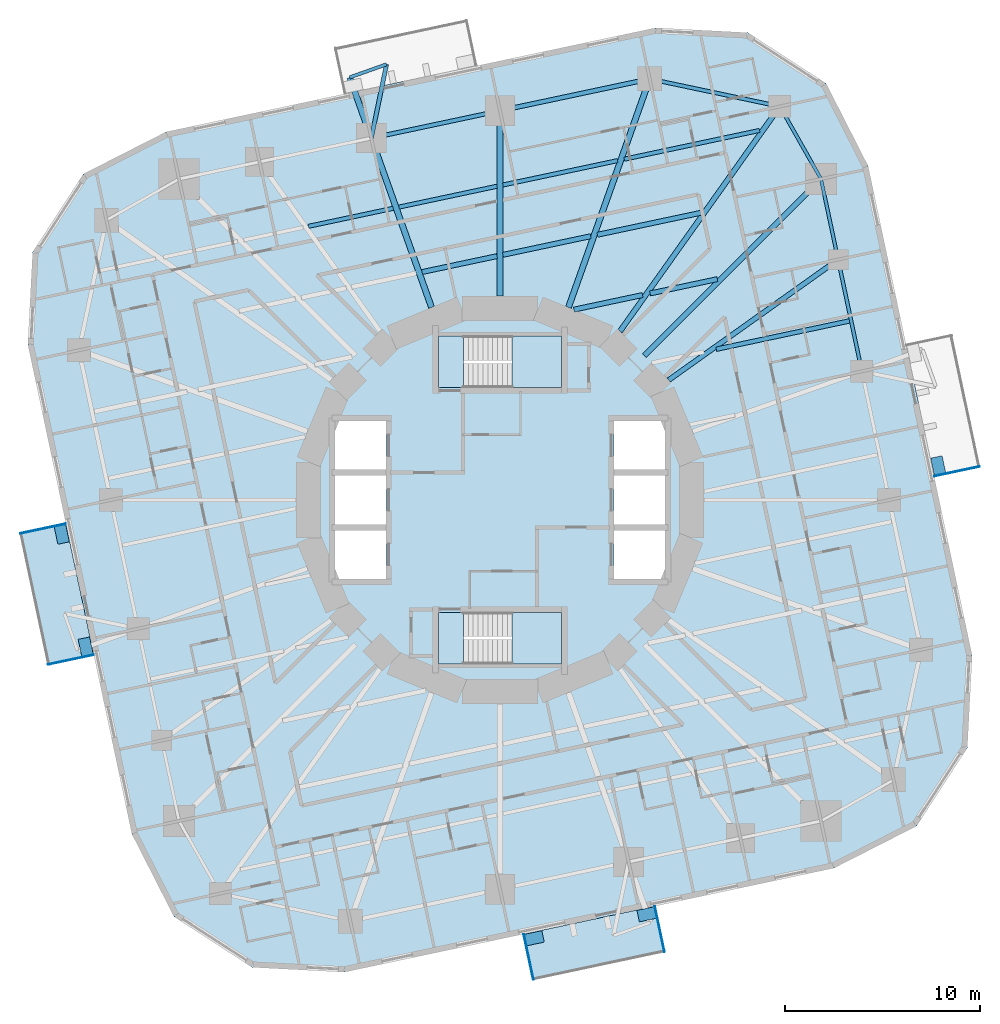
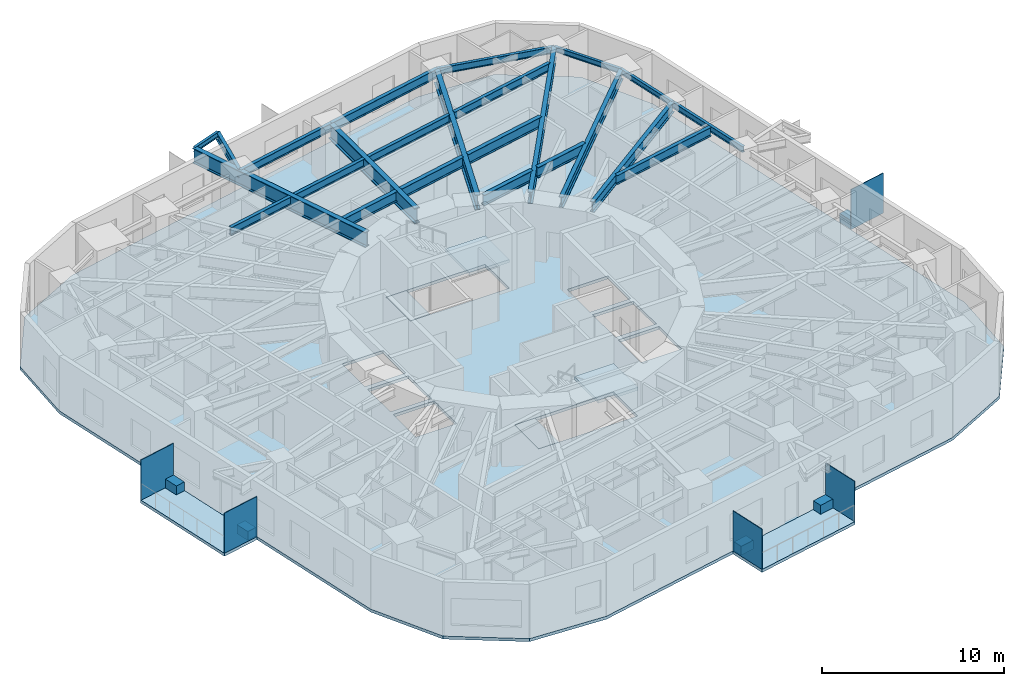
# One storey, part 3 of 14: 24 beams, 10 plates, 7 slabs, 2 elements without a shape of their own.
"""IFC4 building model written with IfcOpenShell, lengths in metres."""

from ifc_helpers import new_model, si_unit, direction, frame, origin, origin_2d, place, context, subcontext, project, spatial, polyline, rectangle, i_section, outline, extrude, material, layer, layer_set, material_profile, profile_set, type_object, element, aggregate, save


model = new_model("IFC4")

# Units and contexts
model_context = context("Model", 3, precision=1e-05, world=origin(), true_north=direction((0.0, 1.0)))
body_context = subcontext(model_context, "Body", "Model", "MODEL_VIEW")
ifc_project = project(units=[si_unit("LENGTHUNIT", "METRE"), si_unit("AREAUNIT", "SQUARE_METRE"), si_unit("VOLUMEUNIT", "CUBIC_METRE"), si_unit("PLANEANGLEUNIT", "RADIAN"), si_unit("MASSUNIT", "GRAM", prefix="KILO")], contexts=[model_context])

# Site, building, storey
site_placement = place(None, origin())
site = spatial("IfcSite", under=ifc_project, at=site_placement, CompositionType="ELEMENT")
building_placement = place(site_placement, origin())
building = spatial("IfcBuilding", under=site, at=building_placement, Name="Nakasero Lantern House", CompositionType="ELEMENT")
storey_placement = place(building_placement, frame((0.0, 0.0, 120.39990234375)))
storey = spatial("IfcBuildingStorey", under=building, at=storey_placement, Name="L29", CompositionType="ELEMENT", Elevation=120.39990234375)

# Beams
ifc_material_1 = material(Name="Steel S355", Category="steel")
ifc_material_profile_1 = material_profile(ifc_material_1, i_section(OverallWidth=0.2138671875, OverallDepth=0.549072265625, WebThickness=0.0146484375, FlangeThickness=0.023681640625, FilletRadius=0.0126953125, at=origin_2d()), Name="UB 533x210x138")
ifc_profile_set_1 = profile_set([ifc_material_profile_1], Name="Steel S355")
beam_type_1 = type_object("IfcBeamType", Name="Balcony splay beam UB 533x210x138", PredefinedType="BEAM", material=ifc_profile_set_1)
beam_1_placement = place(storey_placement, frame((-6.590087890625, 18.534912109375, 3.37548828125), z_axis=(0.201831438605, 0.979420272605, 0.0), x_axis=(-0.979420272605, 0.201831438605, 0.0)))
element("IfcBeam", 1, at=beam_1_placement, inside=storey, type_object=beam_type_1, Name="Balcony splay beam L30 B3-C10A", PredefinedType="BEAM", context=body_context, shape_type="SweptSolid", body=[
    extrude(i_section(OverallWidth=0.2138671875, OverallDepth=0.549072265625, WebThickness=0.0146484375, FlangeThickness=0.023681640625, FilletRadius=0.0126953125, at=origin_2d()), origin(), (0.0, 0.0, 1.0), 3.858642578125),
])
ifc_material_2 = material(Name="Steel S355", Category="steel")
ifc_material_profile_2 = material_profile(ifc_material_2, i_section(OverallWidth=0.17138671875, OverallDepth=0.35498046875, WebThickness=0.00732421875, FlangeThickness=0.011474609375, FilletRadius=0.01025390625, at=origin_2d()), Name="UB 356x171x51")
ifc_profile_set_2 = profile_set([ifc_material_profile_2], Name="Steel S355")
beam_type_2 = type_object("IfcBeamType", Name="Balcony tie beam UB 356x171x51", PredefinedType="BEAM", material=ifc_profile_set_2)
beam_2_placement = place(storey_placement, frame((-5.811279296875, 22.314208984375, 3.47265625), z_axis=(-0.942196708721, -0.335060236487, 0.0), x_axis=(0.335060236487, -0.942196708721, 0.0)))
element("IfcBeam", 2, at=beam_2_placement, inside=storey, type_object=beam_type_2, Name="Balcony tie beam L30 B3-C10", PredefinedType="BEAM", context=body_context, shape_type="SweptSolid", body=[
    extrude(i_section(OverallWidth=0.17138671875, OverallDepth=0.35498046875, WebThickness=0.00732421875, FlangeThickness=0.011474609375, FilletRadius=0.01025390625, at=origin_2d()), origin(), (0.0, 0.0, 1.0), 2.000244140625),
])
ifc_material_3 = material(Name="Steel S355", Category="steel")
ifc_material_profile_3 = material_profile(ifc_material_3, i_section(OverallWidth=0.2099609375, OverallDepth=0.53662109375, WebThickness=0.0107421875, FlangeThickness=0.017333984375, FilletRadius=0.0126953125, at=origin_2d()), Name="UB 533x210x101")
ifc_profile_set_3 = profile_set([ifc_material_profile_3], Name="Steel S355")
beam_type_3 = type_object("IfcBeamType", Name="Infill beam UB 533x210x101", PredefinedType="JOIST", material=ifc_profile_set_3)
beam_3_placement = place(storey_placement, frame((-9.810302734375, 14.0166015625, 3.3818359375), z_axis=(0.978149057111, 0.207904838982, 0.0), x_axis=(-0.207904838982, 0.978149057111, 0.0)))
element("IfcBeam", 3, at=beam_3_placement, inside=storey, type_object=beam_type_3, Name="Infill beam L30 12.4", PredefinedType="JOIST", context=body_context, shape_type="SweptSolid", body=[
    extrude(i_section(OverallWidth=0.2099609375, OverallDepth=0.53662109375, WebThickness=0.0107421875, FlangeThickness=0.017333984375, FilletRadius=0.0126953125, at=origin_2d()), origin(), (0.0, 0.0, 1.0), 4.435302734375),
])
beam_4_placement = place(storey_placement, frame((-5.173828125, 15.002197265625, 3.3818359375), z_axis=(0.978153894908, 0.207882076853, 0.0), x_axis=(-0.207882076853, 0.978153894908, 0.0)))
element("IfcBeam", 4, at=beam_4_placement, inside=storey, type_object=beam_type_3, Name="Infill beam L30 12.5", PredefinedType="JOIST", context=body_context, shape_type="SweptSolid", body=[
    extrude(i_section(OverallWidth=0.2099609375, OverallDepth=0.53662109375, WebThickness=0.0107421875, FlangeThickness=0.017333984375, FilletRadius=0.0126953125, at=origin_2d()), origin(), (0.0, 0.0, 1.0), 5.13330078125),
])
beam_5_placement = place(storey_placement, frame((0.152587890625, 16.13427734375, 3.3818359375), z_axis=(0.978149438519, 0.207903044531, 0.0), x_axis=(-0.207903044531, 0.978149438519, 0.0)))
element("IfcBeam", 5, at=beam_5_placement, inside=storey, type_object=beam_type_3, Name="Infill beam L30 12.6", PredefinedType="JOIST", context=body_context, shape_type="SweptSolid", body=[
    extrude(i_section(OverallWidth=0.2099609375, OverallDepth=0.53662109375, WebThickness=0.0107421875, FlangeThickness=0.017333984375, FilletRadius=0.0126953125, at=origin_2d()), origin(), (0.0, 0.0, 1.0), 5.99951171875),
])
beam_6_placement = place(storey_placement, frame((6.365478515625, 17.454833984375, 3.3818359375), z_axis=(0.978149480204, 0.207902848411, 0.0), x_axis=(-0.207902848411, 0.978149480204, 0.0)))
element("IfcBeam", 6, at=beam_6_placement, inside=storey, type_object=beam_type_3, Name="Infill beam L30 12.7", PredefinedType="JOIST", context=body_context, shape_type="SweptSolid", body=[
    extrude(i_section(OverallWidth=0.2099609375, OverallDepth=0.53662109375, WebThickness=0.0107421875, FlangeThickness=0.017333984375, FilletRadius=0.0126953125, at=origin_2d()), origin(), (0.0, 0.0, 1.0), 7.085693359375),
])
ifc_material_4 = material(Name="Steel S355", Category="steel")
ifc_material_profile_4 = material_profile(ifc_material_4, i_section(OverallWidth=0.2275390625, OverallDepth=0.6025390625, WebThickness=0.010498046875, FlangeThickness=0.014892578125, FilletRadius=0.0126953125, at=origin_2d()), Name="UB 610x229x101")
ifc_profile_set_4 = profile_set([ifc_material_profile_4], Name="Steel S355")
beam_type_4 = type_object("IfcBeamType", Name="Infill beam UB 610x229x101", PredefinedType="JOIST", material=ifc_profile_set_4)
beam_7_placement = place(storey_placement, frame((11.077880859375, 7.721923828125, 3.348876953125), z_axis=(0.978143535939, 0.207930813255, 0.0), x_axis=(-0.207930813255, 0.978143535939, 0.0)))
element("IfcBeam", 7, at=beam_7_placement, inside=storey, type_object=beam_type_4, Name="Infill beam L30 09.3", PredefinedType="JOIST", context=body_context, shape_type="SweptSolid", body=[
    extrude(i_section(OverallWidth=0.2275390625, OverallDepth=0.6025390625, WebThickness=0.010498046875, FlangeThickness=0.014892578125, FilletRadius=0.0126953125, at=origin_2d()), origin(), (0.0, 0.0, 1.0), 6.9697265625),
])
ifc_material_5 = material(Name="Steel S355", Category="steel")
ifc_material_profile_5 = material_profile(ifc_material_5, i_section(OverallWidth=0.253662109375, OverallDepth=0.68359375, WebThickness=0.012451171875, FlangeThickness=0.01904296875, FilletRadius=0.01513671875, at=origin_2d()), Name="UB 686x254x140")
ifc_profile_set_5 = profile_set([ifc_material_profile_5], Name="Steel S355")
beam_type_5 = type_object("IfcBeamType", Name="Infill beam UB 686x254x140", PredefinedType="JOIST", material=ifc_profile_set_5)
beam_8_placement = place(storey_placement, frame((-3.990966796875, 11.67529296875, 3.308349609375), z_axis=(0.978145250615, 0.20792274695, 0.0), x_axis=(-0.20792274695, 0.978145250615, 0.0)))
element("IfcBeam", 8, at=beam_8_placement, inside=storey, type_object=beam_type_5, Name="Infill beam L30 11.4", PredefinedType="JOIST", context=body_context, shape_type="SweptSolid", body=[
    extrude(i_section(OverallWidth=0.253662109375, OverallDepth=0.68359375, WebThickness=0.012451171875, FlangeThickness=0.01904296875, FilletRadius=0.01513671875, at=origin_2d()), origin(), (0.0, 0.0, 1.0), 3.924072265625),
])
beam_9_placement = place(storey_placement, frame((0.152587890625, 12.55615234375, 3.308349609375), z_axis=(0.978148041119, 0.207909618957, 0.0), x_axis=(-0.207909618957, 0.978148041119, 0.0)))
element("IfcBeam", 9, at=beam_9_placement, inside=storey, type_object=beam_type_5, Name="Infill beam L30 11.5", PredefinedType="JOIST", context=body_context, shape_type="SweptSolid", body=[
    extrude(i_section(OverallWidth=0.253662109375, OverallDepth=0.68359375, WebThickness=0.012451171875, FlangeThickness=0.01904296875, FilletRadius=0.01513671875, at=origin_2d()), origin(), (0.0, 0.0, 1.0), 4.592529296875),
])
beam_10_placement = place(storey_placement, frame((4.989013671875, 13.584228515625, 3.308349609375), z_axis=(0.978155764637, 0.207873278962, 0.0), x_axis=(-0.207873278962, 0.978155764637, 0.0)))
element("IfcBeam", 10, at=beam_10_placement, inside=storey, type_object=beam_type_5, Name="Infill beam L30 11.6", PredefinedType="JOIST", context=body_context, shape_type="SweptSolid", body=[
    extrude(i_section(OverallWidth=0.253662109375, OverallDepth=0.68359375, WebThickness=0.012451171875, FlangeThickness=0.01904296875, FilletRadius=0.01513671875, at=origin_2d()), origin(), (0.0, 0.0, 1.0), 5.428466796875),
])
ifc_material_6 = material(Name="Steel S355", Category="steel")
ifc_material_profile_6 = material_profile(ifc_material_6, i_section(OverallWidth=0.255859375, OverallDepth=0.69287109375, WebThickness=0.014404296875, FlangeThickness=0.023681640625, FilletRadius=0.01513671875, at=origin_2d()), Name="UB 686x254x170")
ifc_profile_set_6 = profile_set([ifc_material_profile_6], Name="Steel S355")
beam_type_6 = type_object("IfcBeamType", Name="Infill beam UB 686x254x170", PredefinedType="JOIST", material=ifc_profile_set_6)
beam_11_placement = place(storey_placement, frame((3.78759765625, 9.75048828125, 3.3037109375), z_axis=(0.978149176892, 0.207904275439, 0.0), x_axis=(-0.207904275439, 0.978149176892, 0.0)))
element("IfcBeam", 11, at=beam_11_placement, inside=storey, type_object=beam_type_6, Name="Infill beam L30 10.4", PredefinedType="JOIST", context=body_context, shape_type="SweptSolid", body=[
    extrude(i_section(OverallWidth=0.255859375, OverallDepth=0.69287109375, WebThickness=0.014404296875, FlangeThickness=0.023681640625, FilletRadius=0.01513671875, at=origin_2d()), origin(), (0.0, 0.0, 1.0), 3.59228515625),
])
beam_12_placement = place(storey_placement, frame((7.686767578125, 10.579345703125, 3.3037109375), z_axis=(0.97814493323, 0.20792424004, 0.0), x_axis=(-0.20792424004, 0.97814493323, 0.0)))
element("IfcBeam", 12, at=beam_12_placement, inside=storey, type_object=beam_type_6, Name="Infill beam L30 10.5", PredefinedType="JOIST", context=body_context, shape_type="SweptSolid", body=[
    extrude(i_section(OverallWidth=0.255859375, OverallDepth=0.69287109375, WebThickness=0.014404296875, FlangeThickness=0.023681640625, FilletRadius=0.01513671875, at=origin_2d()), origin(), (0.0, 0.0, 1.0), 3.5224609375),
])
ifc_material_7 = material(Name="Steel S355", Category="steel")
ifc_material_profile_7 = material_profile(ifc_material_7, i_section(OverallWidth=0.300048828125, OverallDepth=0.989990234375, WebThickness=0.0166015625, FlangeThickness=0.031005859375, FilletRadius=0.030029296875, at=origin_2d()), Name="UB 1016x305x272")
ifc_profile_set_7 = profile_set([ifc_material_profile_7], Name="Steel S355")
beam_type_7 = type_object("IfcBeamType", Name="Primary beam UB 1016x305x272, span 12 to 15 m", PredefinedType="BEAM", material=ifc_profile_set_7)
beam_13_placement = place(storey_placement, frame((7.667724609375, 21.5654296875, 3.155029296875), z_axis=(-0.335011995103, -0.942213862739, 0.0), x_axis=(0.942213862739, -0.335011995103, 0.0)))
element("IfcBeam", 13, at=beam_13_placement, inside=storey, type_object=beam_type_7, Name="Primary beam L30 B3-C08", PredefinedType="BEAM", context=body_context, shape_type="SweptSolid", body=[
    extrude(i_section(OverallWidth=0.300048828125, OverallDepth=0.989990234375, WebThickness=0.0166015625, FlangeThickness=0.031005859375, FilletRadius=0.030029296875, at=origin_2d()), origin(), (0.0, 0.0, 1.0), 12.41650390625),
])
ifc_material_8 = material(Name="Steel S355", Category="steel")
ifc_material_profile_8 = material_profile(ifc_material_8, i_section(OverallWidth=0.302001953125, OverallDepth=1.008056640625, WebThickness=0.02099609375, FlangeThickness=0.0400390625, FilletRadius=0.030029296875, at=origin_2d()), Name="UB 1016x305x349")
ifc_profile_set_8 = profile_set([ifc_material_profile_8], Name="Steel S355")
beam_type_8 = type_object("IfcBeamType", Name="Primary beam UB 1016x305x349, span 9 to 12 m", PredefinedType="BEAM", material=ifc_profile_set_8)
beam_14_placement = place(storey_placement, frame((-7.69580078125, 21.64404296875, 3.14599609375), z_axis=(0.335020841845, -0.942210717159, 0.0), x_axis=(0.942210717159, 0.335020841845, 0.0)))
element("IfcBeam", 14, at=beam_14_placement, inside=storey, type_object=beam_type_8, Name="Primary beam L30 B3-C10", PredefinedType="BEAM", context=body_context, shape_type="SweptSolid", body=[
    extrude(i_section(OverallWidth=0.302001953125, OverallDepth=1.008056640625, WebThickness=0.02099609375, FlangeThickness=0.0400390625, FilletRadius=0.030029296875, at=origin_2d()), origin(), (0.0, 0.0, 1.0), 12.5),
])
ifc_material_9 = material(Name="Steel S355", Category="steel")
ifc_material_profile_9 = material_profile(ifc_material_9, i_section(OverallWidth=0.305419921875, OverallDepth=1.026123046875, WebThickness=0.02685546875, FlangeThickness=0.049072265625, FilletRadius=0.030029296875, at=origin_2d()), Name="UB 1016x305x437")
ifc_profile_set_9 = profile_set([ifc_material_profile_9], Name="Steel S355")
beam_type_9 = type_object("IfcBeamType", Name="Primary beam UB 1016x305x437, span 9 to 12 m", PredefinedType="BEAM", material=ifc_profile_set_9)
beam_15_placement = place(storey_placement, frame((0.0, 19.935546875, 3.136962890625), z_axis=(0.0, -1.0, 0.0), x_axis=(1.0, 0.0, 0.0)))
element("IfcBeam", 15, at=beam_15_placement, inside=storey, type_object=beam_type_9, Name="Primary beam L30 B3-C09", PredefinedType="BEAM", context=body_context, shape_type="SweptSolid", body=[
    extrude(i_section(OverallWidth=0.305419921875, OverallDepth=1.026123046875, WebThickness=0.02685546875, FlangeThickness=0.049072265625, FilletRadius=0.030029296875, at=origin_2d()), origin(), (0.0, 0.0, 1.0), 9.477783203125),
])
ifc_material_10 = material(Name="Steel S355", Category="steel")
ifc_material_profile_10 = material_profile(ifc_material_10, i_section(OverallWidth=0.253662109375, OverallDepth=0.68359375, WebThickness=0.012451171875, FlangeThickness=0.01904296875, FilletRadius=0.01513671875, at=origin_2d()), Name="UB 686x254x140")
ifc_profile_set_10 = profile_set([ifc_material_profile_10], Name="Steel S355")
beam_type_10 = type_object("IfcBeamType", Name="Primary beam UB 686x254x140, span 12 to 15 m", PredefinedType="BEAM", material=ifc_profile_set_10)
beam_16_placement = place(storey_placement, frame((16.44091796875, 16.44091796875, 3.308349609375), z_axis=(-0.707106781187, -0.707106781187, 0.0), x_axis=(0.707106781187, -0.707106781187, 0.0)))
element("IfcBeam", 16, at=beam_16_placement, inside=storey, type_object=beam_type_10, Name="Primary beam L30 B3-C06", PredefinedType="BEAM", context=body_context, shape_type="SweptSolid", body=[
    extrude(i_section(OverallWidth=0.253662109375, OverallDepth=0.68359375, WebThickness=0.012451171875, FlangeThickness=0.01904296875, FilletRadius=0.01513671875, at=origin_2d()), origin(), (0.0, 0.0, 1.0), 12.793212890625),
])
ifc_material_11 = material(Name="Steel S355", Category="steel")
ifc_material_profile_11 = material_profile(ifc_material_11, i_section(OverallWidth=0.253662109375, OverallDepth=0.68359375, WebThickness=0.012451171875, FlangeThickness=0.01904296875, FilletRadius=0.01513671875, at=origin_2d()), Name="UB 686x254x140")
ifc_profile_set_11 = profile_set([ifc_material_profile_11], Name="Steel S355")
beam_type_11 = type_object("IfcBeamType", Name="Primary beam UB 686x254x140, span 9 to 12 m", PredefinedType="BEAM", material=ifc_profile_set_11)
beam_17_placement = place(storey_placement, frame((17.318115234375, 12.31494140625, 3.308349609375), z_axis=(-0.814957491022, -0.579520739774, 0.0), x_axis=(0.579520739774, -0.814957491022, 0.0)))
element("IfcBeam", 17, at=beam_17_placement, inside=storey, type_object=beam_type_11, Name="Primary beam L30 B3-C05", PredefinedType="BEAM", context=body_context, shape_type="SweptSolid", body=[
    extrude(i_section(OverallWidth=0.253662109375, OverallDepth=0.68359375, WebThickness=0.012451171875, FlangeThickness=0.01904296875, FilletRadius=0.01513671875, at=origin_2d()), origin(), (0.0, 0.0, 1.0), 10.64453125),
])
ifc_material_12 = material(Name="Steel S355", Category="steel")
ifc_material_profile_12 = material_profile(ifc_material_12, i_section(OverallWidth=0.2666015625, OverallDepth=0.76220703125, WebThickness=0.014404296875, FlangeThickness=0.021484375, FilletRadius=0.0166015625, at=origin_2d()), Name="UB 762x267x173")
ifc_profile_set_12 = profile_set([ifc_material_profile_12], Name="Steel S355")
beam_type_12 = type_object("IfcBeamType", Name="Primary beam UB 762x267x173, span 12 to 15 m", PredefinedType="BEAM", material=ifc_profile_set_12)
beam_18_placement = place(storey_placement, frame((14.33349609375, 20.15625, 3.26904296875), z_axis=(-0.57953679421, -0.814946074386, 0.0), x_axis=(0.814946074386, -0.57953679421, 0.0)))
element("IfcBeam", 18, at=beam_18_placement, inside=storey, type_object=beam_type_12, Name="Primary beam L30 B3-C07", PredefinedType="BEAM", context=body_context, shape_type="SweptSolid", body=[
    extrude(i_section(OverallWidth=0.2666015625, OverallDepth=0.76220703125, WebThickness=0.014404296875, FlangeThickness=0.021484375, FilletRadius=0.0166015625, at=origin_2d()), origin(), (0.0, 0.0, 1.0), 14.127197265625),
])
ifc_material_13 = material(Name="Steel S355", Category="steel")
ifc_material_profile_13 = material_profile(ifc_material_13, i_section(OverallWidth=0.17138671875, OverallDepth=0.35498046875, WebThickness=0.00732421875, FlangeThickness=0.011474609375, FilletRadius=0.01025390625, at=origin_2d()), Name="UB 356x171x51")
ifc_profile_set_13 = profile_set([ifc_material_profile_13], Name="Steel S355")
beam_type_13 = type_object("IfcBeamType", Name="Ring beam UB 356x171x51", PredefinedType="BEAM", material=ifc_profile_set_13)
beam_19_placement = place(storey_placement, frame((17.318115234375, 12.31494140625, 3.47265625), z_axis=(-0.207955665195, 0.978138252658, 0.0), x_axis=(-0.978138252658, -0.207955665195, 0.0)))
element("IfcBeam", 19, at=beam_19_placement, inside=storey, type_object=beam_type_13, Name="Ring beam L30 B3-C05", PredefinedType="BEAM", context=body_context, shape_type="SweptSolid", body=[
    extrude(i_section(OverallWidth=0.17138671875, OverallDepth=0.35498046875, WebThickness=0.00732421875, FlangeThickness=0.011474609375, FilletRadius=0.01025390625, at=origin_2d()), origin(), (0.0, 0.0, 1.0), 4.21826171875),
])
beam_20_placement = place(storey_placement, frame((16.44091796875, 16.44091796875, 3.47265625), z_axis=(-0.493378832737, 0.869814536213, 0.0), x_axis=(-0.869814536213, -0.493378832737, 0.0)))
element("IfcBeam", 20, at=beam_20_placement, inside=storey, type_object=beam_type_13, Name="Ring beam L30 B3-C06", PredefinedType="BEAM", context=body_context, shape_type="SweptSolid", body=[
    extrude(i_section(OverallWidth=0.17138671875, OverallDepth=0.35498046875, WebThickness=0.00732421875, FlangeThickness=0.011474609375, FilletRadius=0.01025390625, at=origin_2d()), origin(), (0.0, 0.0, 1.0), 4.271484375),
])
ifc_material_14 = material(Name="Steel S355", Category="steel")
ifc_material_profile_14 = material_profile(ifc_material_14, i_section(OverallWidth=0.177978515625, OverallDepth=0.406494140625, WebThickness=0.0078125, FlangeThickness=0.0126953125, FilletRadius=0.01025390625, at=origin_2d()), Name="UB 406x178x60")
ifc_profile_set_14 = profile_set([ifc_material_profile_14], Name="Steel S355")
beam_type_14 = type_object("IfcBeamType", Name="Ring beam UB 406x178x60", PredefinedType="BEAM", material=ifc_profile_set_14)
beam_21_placement = place(storey_placement, frame((18.534912109375, 6.590087890625, 3.44677734375), z_axis=(-0.207902159541, 0.978149626621, 0.0), x_axis=(-0.978149626621, -0.207902159541, 0.0)))
element("IfcBeam", 21, at=beam_21_placement, inside=storey, type_object=beam_type_14, Name="Ring beam L30 B3-C04", PredefinedType="BEAM", context=body_context, shape_type="SweptSolid", body=[
    extrude(i_section(OverallWidth=0.177978515625, OverallDepth=0.406494140625, WebThickness=0.0078125, FlangeThickness=0.0126953125, FilletRadius=0.01025390625, at=origin_2d()), origin(), (0.0, 0.0, 1.0), 5.852783203125),
])
ifc_material_15 = material(Name="Steel S355", Category="steel")
ifc_material_profile_15 = material_profile(ifc_material_15, i_section(OverallWidth=0.18994140625, OverallDepth=0.453369140625, WebThickness=0.008544921875, FlangeThickness=0.0126953125, FilletRadius=0.01025390625, at=origin_2d()), Name="UB 457x191x67")
ifc_profile_set_15 = profile_set([ifc_material_profile_15], Name="Steel S355")
beam_type_15 = type_object("IfcBeamType", Name="Ring beam UB 457x191x67", PredefinedType="BEAM", material=ifc_profile_set_15)
beam_22_placement = place(storey_placement, frame((14.33349609375, 20.15625, 3.42333984375), z_axis=(-0.978376066473, 0.206833925052, 0.0), x_axis=(-0.206833925052, -0.978376066473, 0.0)))
element("IfcBeam", 22, at=beam_22_placement, inside=storey, type_object=beam_type_15, Name="Ring beam L30 B3-C07", PredefinedType="BEAM", context=body_context, shape_type="SweptSolid", body=[
    extrude(i_section(OverallWidth=0.18994140625, OverallDepth=0.453369140625, WebThickness=0.008544921875, FlangeThickness=0.0126953125, FilletRadius=0.01025390625, at=origin_2d()), origin(), (0.0, 0.0, 1.0), 6.81298828125),
])
ifc_material_16 = material(Name="Steel S355", Category="steel")
ifc_material_profile_16 = material_profile(ifc_material_16, i_section(OverallWidth=0.2099609375, OverallDepth=0.53662109375, WebThickness=0.0107421875, FlangeThickness=0.017333984375, FilletRadius=0.0126953125, at=origin_2d()), Name="UB 533x210x101")
ifc_profile_set_16 = profile_set([ifc_material_profile_16], Name="Steel S355")
beam_type_16 = type_object("IfcBeamType", Name="Ring beam UB 533x210x101", PredefinedType="BEAM", material=ifc_profile_set_16)
beam_23_placement = place(storey_placement, frame((0.0, 19.935546875, 3.3818359375), z_axis=(-0.978151574702, -0.20789299389, 0.0), x_axis=(0.20789299389, -0.978151574702, 0.0)))
element("IfcBeam", 23, at=beam_23_placement, inside=storey, type_object=beam_type_16, Name="Ring beam L30 B3-C09", PredefinedType="BEAM", context=body_context, shape_type="SweptSolid", body=[
    extrude(i_section(OverallWidth=0.2099609375, OverallDepth=0.53662109375, WebThickness=0.0107421875, FlangeThickness=0.017333984375, FilletRadius=0.0126953125, at=origin_2d()), origin(), (0.0, 0.0, 1.0), 6.7373046875),
])
ifc_material_17 = material(Name="Steel S355", Category="steel")
ifc_material_profile_17 = material_profile(ifc_material_17, i_section(OverallWidth=0.22900390625, OverallDepth=0.6123046875, WebThickness=0.011962890625, FlangeThickness=0.01953125, FilletRadius=0.0126953125, at=origin_2d()), Name="UB 610x229x125")
ifc_profile_set_17 = profile_set([ifc_material_profile_17], Name="Steel S355")
beam_type_17 = type_object("IfcBeamType", Name="Ring beam UB 610x229x125", PredefinedType="BEAM", material=ifc_profile_set_17)
beam_24_placement = place(storey_placement, frame((7.667724609375, 21.5654296875, 3.343994140625), z_axis=(-0.978146105516, -0.207918725139, 0.0), x_axis=(0.207918725139, -0.978146105516, 0.0)))
element("IfcBeam", 24, at=beam_24_placement, inside=storey, type_object=beam_type_17, Name="Ring beam L30 B3-C08", PredefinedType="BEAM", context=body_context, shape_type="SweptSolid", body=[
    extrude(i_section(OverallWidth=0.22900390625, OverallDepth=0.6123046875, WebThickness=0.011962890625, FlangeThickness=0.01953125, FilletRadius=0.0126953125, at=origin_2d()), origin(), (0.0, 0.0, 1.0), 7.839111328125),
])

# Plates
ifc_material_18 = material(Name="Aluminium 6063-T6", Category="aluminium")
ifc_layer_1 = layer(ifc_material_18, 0.60009765625)
ifc_layer_set_1 = layer_set([ifc_layer_1], Name="Balcony planter 600x900")
plate_type_1 = type_object("IfcPlateType", Name="Balcony planter 600x900", PredefinedType="USERDEFINED", material=ifc_layer_set_1)
for number, where, z_axis, x_axis, name in (
    (25, (22.443603515625, 1.764892578125, 0.0), (0.0, 0.0, 1.0), (0.978147600734, 0.207911690818, 0.0), "Balcony PLANTER L29 BAL0A"),
    (26, (-22.443603515625, -1.764892578125, 0.0), (0.0, 0.0, 1.0), (-0.978147600734, -0.207911690818, 0.0), "Balcony PLANTER L29 BAL2A"),
    (27, (-21.220947265625, -7.516357421875, 0.0), (0.0, 0.0, 1.0), (-0.978147600734, -0.207911690818, 0.0), "Balcony PLANTER L29 BAL2B"),
    (28, (1.764892578125, -22.443603515625, 0.0), (0.0, 0.0, 1.0), (0.207911690818, -0.978147600734, 0.0), "Balcony PLANTER L29 BAL3A"),
    (29, (7.516357421875, -21.220947265625, 0.0), (0.0, 0.0, 1.0), (0.207911690818, -0.978147600734, 0.0), "Balcony PLANTER L29 BAL3B"),
):
    element("IfcPlate", number, at=place(storey_placement, frame(where, z_axis=z_axis, x_axis=x_axis)), inside=storey, type_object=plate_type_1, Name=name, ObjectType="PLANTER", PredefinedType="USERDEFINED", context=body_context, shape_type="SweptSolid", body=[
        extrude(rectangle(XDim=0.60009765625, YDim=0.89990234375, at=origin_2d()), origin(), (0.0, 0.0, 1.0), 0.60009765625),
    ])
ifc_material_19 = material(Name="Aluminium 6063-T6", Category="aluminium")
ifc_layer_2 = layer(ifc_material_19, 0.0400390625)
ifc_layer_set_2 = layer_set([ifc_layer_2], Name="Balcony screen 2400x2700")
plate_type_2 = type_object("IfcPlateType", Name="Balcony screen 2400x2700", PredefinedType="SHEET", material=ifc_layer_set_2)
for number, where, z_axis, x_axis, name in (
    (30, (23.40625, 1.468505859375, 0.0), (0.0, 0.0, 1.0), (0.978147600734, 0.207911690818, 0.0), "Balcony SCREEN L29 BAL0A"),
    (31, (-23.40625, -1.468505859375, 0.0), (0.0, 0.0, 1.0), (-0.978147600734, -0.207911690818, 0.0), "Balcony SCREEN L29 BAL2A"),
    (32, (-21.97998046875, -8.1787109375, 0.0), (0.0, 0.0, 1.0), (-0.978147600734, -0.207911690818, 0.0), "Balcony SCREEN L29 BAL2B"),
    (33, (1.468505859375, -23.40625, 0.0), (0.0, 0.0, 1.0), (0.207911690818, -0.978147600734, 0.0), "Balcony SCREEN L29 BAL3A"),
    (34, (8.1787109375, -21.97998046875, 0.0), (0.0, 0.0, 1.0), (0.207911690818, -0.978147600734, 0.0), "Balcony SCREEN L29 BAL3B"),
):
    element("IfcPlate", number, at=place(storey_placement, frame(where, z_axis=z_axis, x_axis=x_axis)), inside=storey, type_object=plate_type_2, Name=name, PredefinedType="SHEET", context=body_context, shape_type="SweptSolid", body=[
        extrude(rectangle(XDim=2.39990234375, YDim=0.0400390625, at=origin_2d()), origin(), (0.0, 0.0, 1.0), 2.699951171875),
    ])

# Slabs
ifc_material_20 = material(Name="Concrete C35/45", Category="concrete")
ifc_layer_3 = layer(ifc_material_20, 0.199951171875)
ifc_layer_set_3 = layer_set([ifc_layer_3], Name="Balcony slab 200")
slab_type_1 = type_object("IfcSlabType", Name="Balcony slab 200", PredefinedType="USERDEFINED", material=ifc_layer_set_3)
slab_1_placement = place(storey_placement, frame((0.0, 0.0, -0.199951171875)))
element("IfcSlab", 35, at=slab_1_placement, inside=storey, type_object=slab_type_1, Name="Balcony L29 BAL2", ObjectType="BALCONY", PredefinedType="USERDEFINED", context=body_context, shape_type="SweptSolid", body=[
    extrude(outline(polyline([(-22.236572265625, -1.199462890625), (-24.583984375, -1.698486328125), (-23.1494140625, -8.44775390625), (-20.802001953125, -7.94873046875), (-22.236572265625, -1.199462890625)])), origin(), (0.0, 0.0, 1.0), 0.199951171875),
])
slab_2_placement = place(storey_placement, frame((0.0, 0.0, -0.199951171875)))
element("IfcSlab", 36, at=slab_2_placement, inside=storey, type_object=slab_type_1, Name="Balcony L29 BAL3", ObjectType="BALCONY", PredefinedType="USERDEFINED", context=body_context, shape_type="SweptSolid", body=[
    extrude(outline(polyline([(1.199462890625, -22.236572265625), (1.698486328125, -24.583984375), (8.44775390625, -23.1494140625), (7.94873046875, -20.802001953125), (1.199462890625, -22.236572265625)])), origin(), (0.0, 0.0, 1.0), 0.199951171875),
])
ifc_material_21 = material(Name="Concrete C35/45", Category="concrete")
ifc_layer_4 = layer(ifc_material_21, 0.199951171875)
ifc_layer_set_4 = layer_set([ifc_layer_4], Name="Composite floor slab 200")
slab_type_2 = type_object("IfcSlabType", Name="Composite floor slab 200", PredefinedType="FLOOR", material=ifc_layer_set_4)
slab_3_placement = place(storey_placement, frame((0.0, 0.0, -0.199951171875)))
element("IfcSlab", 37, at=slab_3_placement, inside=storey, type_object=slab_type_2, Name="Floor slab L29", PredefinedType="FLOOR", context=body_context, shape_type="SweptSolid", body=[
    extrude(outline(polyline([(18.85791015625, 17.09423828125), (16.696044921875, 21.337646484375), (12.701904296875, 23.931396484375), (7.9462890625, 24.180419921875), (-17.09423828125, 18.85791015625), (-21.337646484375, 16.696044921875), (-23.931396484375, 12.701904296875), (-24.180419921875, 7.9462890625), (-18.85791015625, -17.09423828125), (-16.696044921875, -21.337646484375), (-12.701904296875, -23.931396484375), (-7.9462890625, -24.180419921875), (17.09423828125, -18.85791015625), (21.337646484375, -16.696044921875), (23.931396484375, -12.701904296875), (24.180419921875, -7.9462890625), (18.85791015625, 17.09423828125)]), holes=[polyline([(-8.449951171875, -4.050048828125), (-5.85009765625, -4.050048828125), (-5.85009765625, -1.550048828125), (-8.449951171875, -1.550048828125), (-8.449951171875, -4.050048828125)]), polyline([(-8.449951171875, -1.25), (-5.85009765625, -1.25), (-5.85009765625, 1.25), (-8.449951171875, 1.25), (-8.449951171875, -1.25)]), polyline([(-8.449951171875, 1.550048828125), (-5.85009765625, 1.550048828125), (-5.85009765625, 4.050048828125), (-8.449951171875, 4.050048828125), (-8.449951171875, 1.550048828125)]), polyline([(5.85009765625, -4.050048828125), (8.449951171875, -4.050048828125), (8.449951171875, -1.550048828125), (5.85009765625, -1.550048828125), (5.85009765625, -4.050048828125)]), polyline([(5.85009765625, -1.25), (8.449951171875, -1.25), (8.449951171875, 1.25), (5.85009765625, 1.25), (5.85009765625, -1.25)]), polyline([(5.85009765625, 1.550048828125), (8.449951171875, 1.550048828125), (8.449951171875, 4.050048828125), (5.85009765625, 4.050048828125), (5.85009765625, 1.550048828125)]), polyline([(-3.14990234375, 5.75), (3.14990234375, 5.75), (3.14990234375, 8.39990234375), (-3.14990234375, 8.39990234375), (-3.14990234375, 5.75)]), polyline([(-3.14990234375, -8.39990234375), (3.14990234375, -8.39990234375), (3.14990234375, -5.75), (-3.14990234375, -5.75), (-3.14990234375, -8.39990234375)])]), origin(), (0.0, 0.0, 1.0), 0.199951171875),
])

# Stair, slabs
ifc_material_22 = material(Name="Concrete C40/50", Category="concrete")
stair_type_1 = type_object("IfcStairType", Name="Escape stair ST1 22 risers", PredefinedType="HALF_TURN_STAIR", material=ifc_material_22)
stair_1_placement = place(storey_placement, origin())
stair_1 = element("IfcStair", 38, at=stair_1_placement, inside=storey, type_object=stair_type_1, Name="Escape stair ST1 L29", PredefinedType="HALF_TURN_STAIR")
ifc_material_23 = material(Name="Concrete C40/50", Category="concrete")
ifc_layer_5 = layer(ifc_material_23, 0.199951171875)
ifc_layer_set_5 = layer_set([ifc_layer_5], Name="Stair landing 200")
slab_type_3 = type_object("IfcSlabType", Name="Stair landing 200", PredefinedType="LANDING", material=ifc_layer_set_5)
slab_4_placement = place(storey_placement, frame((0.0, 0.0, -0.199951171875)))
slab_4 = element("IfcSlab", 39, at=slab_4_placement, type_object=slab_type_3, Name="ST1 landing 1", PredefinedType="LANDING", context=body_context, shape_type="SweptSolid", body=[
    extrude(outline(polyline([(-3.14990234375, 5.75), (-1.875, 5.75), (-1.875, 8.39990234375), (-3.14990234375, 8.39990234375), (-3.14990234375, 5.75)])), origin(), (0.0, 0.0, 1.0), 0.199951171875),
])
slab_5_placement = place(storey_placement, frame((0.0, 0.0, 1.72509765625)))
slab_5 = element("IfcSlab", 40, at=slab_5_placement, type_object=slab_type_3, Name="ST1 landing 2", PredefinedType="LANDING", context=body_context, shape_type="SweptSolid", body=[
    extrude(outline(polyline([(0.625, 5.75), (3.14990234375, 5.75), (3.14990234375, 8.39990234375), (0.625, 8.39990234375), (0.625, 5.75)])), origin(), (0.0, 0.0, 1.0), 0.199951171875),
])
aggregate(stair_1, [slab_4, slab_5])

ifc_material_24 = material(Name="Concrete C40/50", Category="concrete")
stair_type_2 = type_object("IfcStairType", Name="Escape stair ST2 22 risers", PredefinedType="HALF_TURN_STAIR", material=ifc_material_24)
stair_2_placement = place(storey_placement, origin())
stair_2 = element("IfcStair", 41, at=stair_2_placement, inside=storey, type_object=stair_type_2, Name="Escape stair ST2 L29", PredefinedType="HALF_TURN_STAIR")
slab_6_placement = place(storey_placement, frame((0.0, 0.0, -0.199951171875)))
slab_6 = element("IfcSlab", 42, at=slab_6_placement, type_object=slab_type_3, Name="ST2 landing 1", PredefinedType="LANDING", context=body_context, shape_type="SweptSolid", body=[
    extrude(outline(polyline([(-3.14990234375, -8.39990234375), (-1.875, -8.39990234375), (-1.875, -5.75), (-3.14990234375, -5.75), (-3.14990234375, -8.39990234375)])), origin(), (0.0, 0.0, 1.0), 0.199951171875),
])
slab_7_placement = place(storey_placement, frame((0.0, 0.0, 1.72509765625)))
slab_7 = element("IfcSlab", 43, at=slab_7_placement, type_object=slab_type_3, Name="ST2 landing 2", PredefinedType="LANDING", context=body_context, shape_type="SweptSolid", body=[
    extrude(outline(polyline([(0.625, -8.39990234375), (3.14990234375, -8.39990234375), (3.14990234375, -5.75), (0.625, -5.75), (0.625, -8.39990234375)])), origin(), (0.0, 0.0, 1.0), 0.199951171875),
])
aggregate(stair_2, [slab_6, slab_7])

save(model, "model.ifc")
